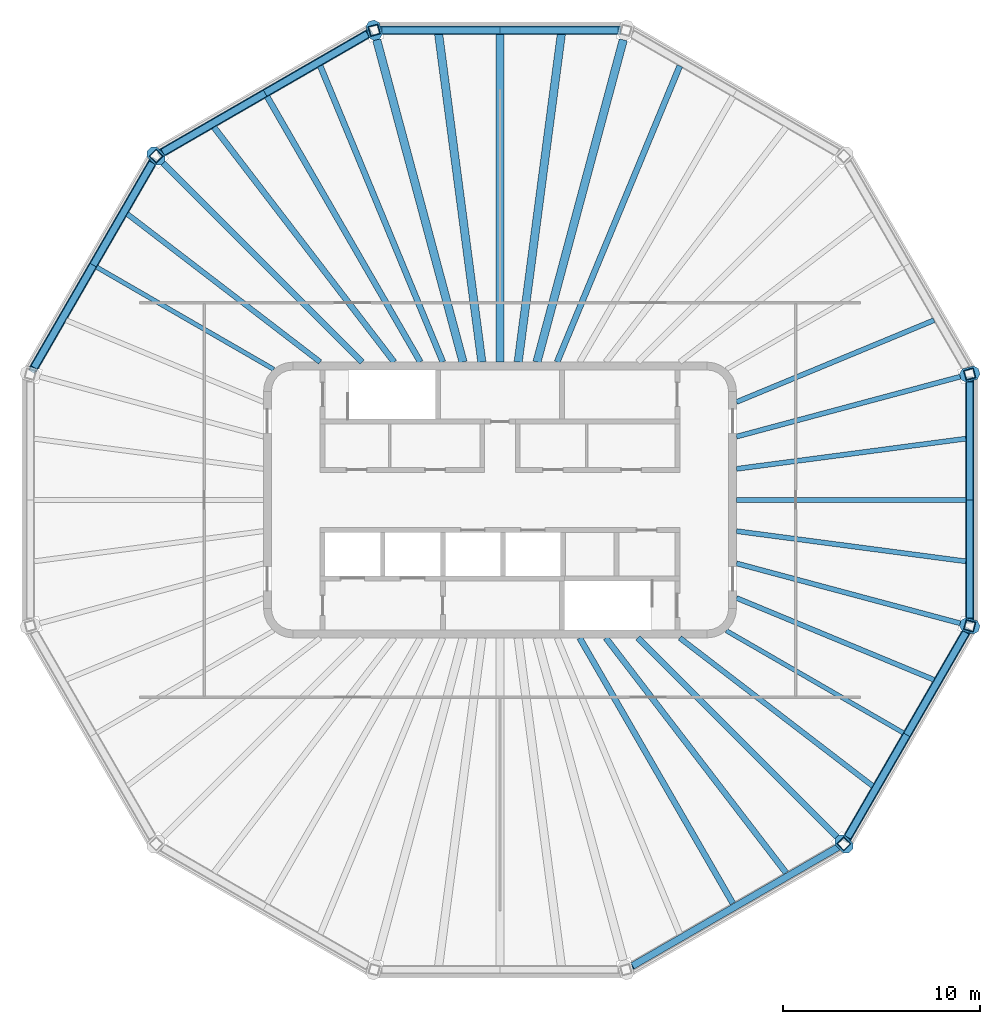
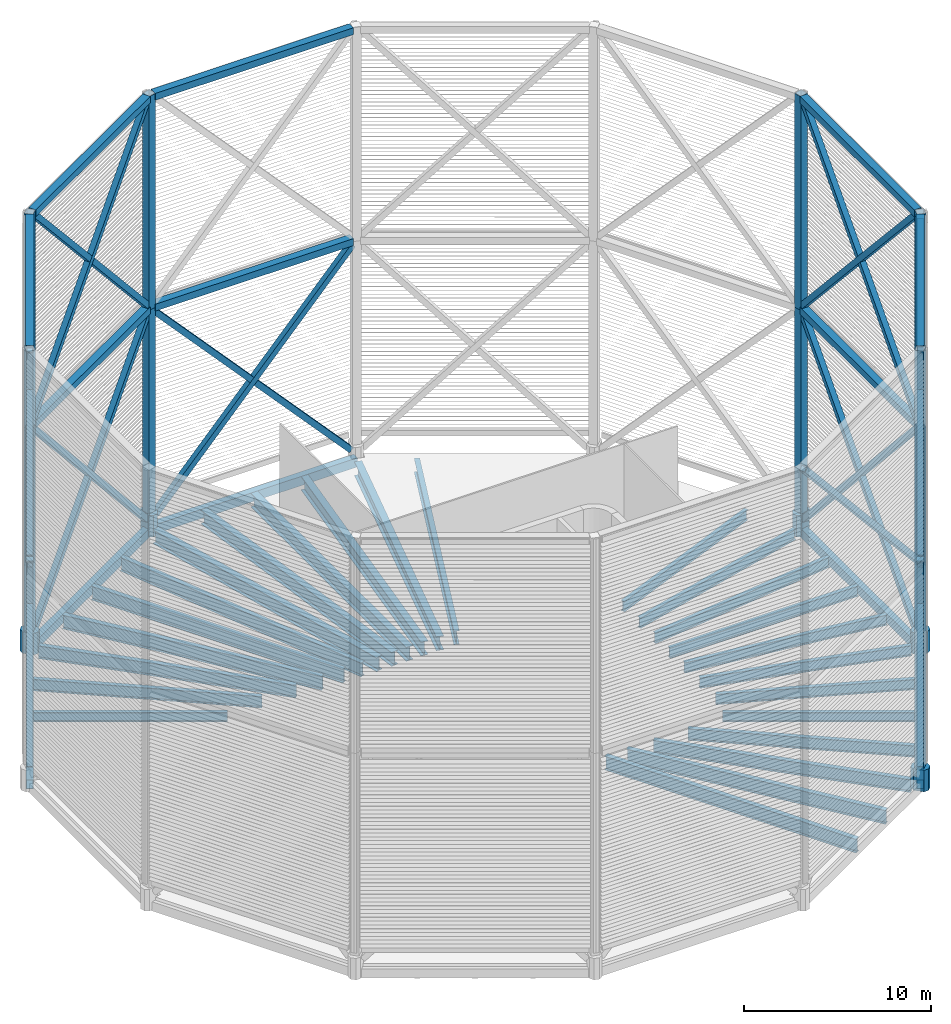
# One storey, part 2 of 18: 44 members, 29 beams.
"""IFC4 building model written with IfcOpenShell, lengths in metres."""

from ifc_helpers import new_model, si_unit, direction, frame, origin, origin_2d, place, context, subcontext, project, spatial, polyline, hollow_rectangle, i_section, outline, extrude, material, material_profile, profile_set, type_object, element, save


model = new_model("IFC4")

# Units and contexts
model_context = context("Model", 3, precision=1e-05, world=origin(), true_north=direction((0.0, 1.0)))
body_context = subcontext(model_context, "Body", "Model", "MODEL_VIEW")
ifc_project = project(units=[si_unit("LENGTHUNIT", "METRE"), si_unit("AREAUNIT", "SQUARE_METRE"), si_unit("VOLUMEUNIT", "CUBIC_METRE"), si_unit("PLANEANGLEUNIT", "RADIAN"), si_unit("MASSUNIT", "GRAM", prefix="KILO")], contexts=[model_context])

# Site, building, storey
site_placement = place(None, origin())
site = spatial("IfcSite", under=ifc_project, at=site_placement, CompositionType="ELEMENT")
building_placement = place(site_placement, origin())
building = spatial("IfcBuilding", under=site, at=building_placement, Name="Sahrelin Media Tower", CompositionType="ELEMENT")
storey_placement = place(building_placement, frame((0.0, 0.0, 335.800048828125)))
storey = spatial("IfcBuildingStorey", under=building, at=storey_placement, Name="Crown", CompositionType="ELEMENT", Elevation=335.800048828125)

# Members
ifc_material_1 = material(Name="Steel S460", Category="steel")
ifc_material_profile_1 = material_profile(ifc_material_1, hollow_rectangle(XDim=0.35009765625, YDim=0.35009765625, WallThickness=0.02001953125, at=origin_2d()), Name="Crown frame brace CF3")
ifc_profile_set_1 = profile_set([ifc_material_profile_1], Name="Steel S460")
member_type_1 = type_object("IfcMemberType", Name="Crown frame brace CF3", PredefinedType="BRACE", material=ifc_profile_set_1)
for number, where, z_axis, x_axis, name in (
    (1, (6.02294921875, 23.830078125, 0.397216796875), (-0.673921530076, 0.0, 0.738802931302), (0.0, -1.0, 0.0), "Crown frame brace CX-02A1"),
    (2, (-6.02294921875, 23.830078125, 0.397216796875), (0.673921530076, 0.0, 0.738802931302), (0.0, 1.0, 0.0), "Crown frame brace CX-02A2"),
    (3, (-6.69921875, 23.64892578125, 0.397216796875), (-0.583625234035, -0.336963130529, 0.738808117756), (0.500007728563, -0.866020941651, 0.0), "Crown frame brace CX-03A1"),
    (4, (-17.131103515625, 17.626220703125, 0.397216796875), (0.583636826792, 0.336948462478, 0.738805649712), (-0.499983955788, 0.866034666717, 0.0), "Crown frame brace CX-03A2"),
):
    element("IfcMember", number, at=place(storey_placement, frame(where, z_axis=z_axis, x_axis=x_axis)), inside=storey, type_object=member_type_1, Name=name, PredefinedType="BRACE", context=body_context, shape_type="SweptSolid", body=[
        extrude(hollow_rectangle(XDim=0.35009765625, YDim=0.35009765625, WallThickness=0.02001953125, at=origin_2d()), origin(), (0.0, 0.0, 1.0), 18.02783203125),
    ])
for number, where, z_axis, x_axis, name in (
    (5, (-6.609375, 23.70068359375, 14.28369140625), (-0.583631390469, -0.336960383592, 0.738804507261), (0.500000715809, -0.866024990512, 0.0), "Crown frame brace CX-03B1"),
    (6, (-17.220703125, 17.57421875, 14.28369140625), (0.583631390469, 0.336960383592, 0.738804507261), (-0.500000715809, 0.866024990512, 0.0), "Crown frame brace CX-03B2"),
):
    element("IfcMember", number, at=place(storey_placement, frame(where, z_axis=z_axis, x_axis=x_axis)), inside=storey, type_object=member_type_1, Name=name, PredefinedType="BRACE", context=body_context, shape_type="SweptSolid", body=[
        extrude(hollow_rectangle(XDim=0.35009765625, YDim=0.35009765625, WallThickness=0.02001953125, at=origin_2d()), origin(), (0.0, 0.0, 1.0), 18.181640625),
    ])
for number, where, z_axis, x_axis, name in (
    (7, (-17.626220703125, 17.131103515625, 0.397216796875), (-0.336948462478, -0.583636826792, 0.738805649712), (0.866034666717, -0.499983955788, 0.0), "Crown frame brace CX-04A1"),
    (8, (-23.64892578125, 6.69921875, 0.397216796875), (0.336963130529, 0.583625234035, 0.738808117756), (-0.866020941651, 0.500007728563, 0.0), "Crown frame brace CX-04A2"),
):
    element("IfcMember", number, at=place(storey_placement, frame(where, z_axis=z_axis, x_axis=x_axis)), inside=storey, type_object=member_type_1, Name=name, PredefinedType="BRACE", context=body_context, shape_type="SweptSolid", body=[
        extrude(hollow_rectangle(XDim=0.35009765625, YDim=0.35009765625, WallThickness=0.02001953125, at=origin_2d()), origin(), (0.0, 0.0, 1.0), 18.02783203125),
    ])
for number, where, z_axis, x_axis, name in (
    (9, (-17.57421875, 17.220703125, 14.28369140625), (-0.336960383592, -0.583631390469, 0.738804507261), (0.866024990512, -0.500000715809, 0.0), "Crown frame brace CX-04B1"),
    (10, (-23.70068359375, 6.609375, 14.28369140625), (0.336960383592, 0.583631390469, 0.738804507261), (-0.866024990512, 0.500000715809, 0.0), "Crown frame brace CX-04B2"),
    (11, (17.220703125, -17.57421875, 14.28369140625), (-0.583631390469, -0.336960383592, 0.738804507261), (0.500000715809, -0.866024990512, 0.0), "Crown frame brace CX-09B2"),
):
    element("IfcMember", number, at=place(storey_placement, frame(where, z_axis=z_axis, x_axis=x_axis)), inside=storey, type_object=member_type_1, Name=name, PredefinedType="BRACE", context=body_context, shape_type="SweptSolid", body=[
        extrude(hollow_rectangle(XDim=0.35009765625, YDim=0.35009765625, WallThickness=0.02001953125, at=origin_2d()), origin(), (0.0, 0.0, 1.0), 18.181640625),
    ])
for number, where, z_axis, x_axis, name in (
    (12, (17.626220703125, -17.131103515625, 0.397216796875), (0.336948462478, 0.583636826792, 0.738805649712), (-0.866034666717, 0.499983955788, 0.0), "Crown frame brace CX-10A1"),
    (13, (23.64892578125, -6.69921875, 0.397216796875), (-0.336963130529, -0.583625234035, 0.738808117756), (0.866020941651, -0.500007728563, 0.0), "Crown frame brace CX-10A2"),
):
    element("IfcMember", number, at=place(storey_placement, frame(where, z_axis=z_axis, x_axis=x_axis)), inside=storey, type_object=member_type_1, Name=name, PredefinedType="BRACE", context=body_context, shape_type="SweptSolid", body=[
        extrude(hollow_rectangle(XDim=0.35009765625, YDim=0.35009765625, WallThickness=0.02001953125, at=origin_2d()), origin(), (0.0, 0.0, 1.0), 18.02783203125),
    ])
for number, where, z_axis, x_axis, name in (
    (14, (17.57421875, -17.220703125, 14.28369140625), (0.336960383592, 0.583631390469, 0.738804507261), (-0.866024990512, 0.500000715809, 0.0), "Crown frame brace CX-10B1"),
    (15, (23.70068359375, -6.609375, 14.28369140625), (-0.336960383592, -0.583631390469, 0.738804507261), (0.866024990512, -0.500000715809, 0.0), "Crown frame brace CX-10B2"),
):
    element("IfcMember", number, at=place(storey_placement, frame(where, z_axis=z_axis, x_axis=x_axis)), inside=storey, type_object=member_type_1, Name=name, PredefinedType="BRACE", context=body_context, shape_type="SweptSolid", body=[
        extrude(hollow_rectangle(XDim=0.35009765625, YDim=0.35009765625, WallThickness=0.02001953125, at=origin_2d()), origin(), (0.0, 0.0, 1.0), 18.181640625),
    ])
for number, where, z_axis, x_axis, name in (
    (16, (23.830078125, -6.02294921875, 0.397216796875), (0.0, 0.673921530076, 0.738802931302), (-1.0, 0.0, 0.0), "Crown frame brace CX-11A1"),
    (17, (23.830078125, 6.02294921875, 0.397216796875), (0.0, -0.673921530076, 0.738802931302), (1.0, 0.0, 0.0), "Crown frame brace CX-11A2"),
):
    element("IfcMember", number, at=place(storey_placement, frame(where, z_axis=z_axis, x_axis=x_axis)), inside=storey, type_object=member_type_1, Name=name, PredefinedType="BRACE", context=body_context, shape_type="SweptSolid", body=[
        extrude(hollow_rectangle(XDim=0.35009765625, YDim=0.35009765625, WallThickness=0.02001953125, at=origin_2d()), origin(), (0.0, 0.0, 1.0), 18.02783203125),
    ])
for number, where, z_axis, x_axis, name in (
    (18, (23.830078125, -6.12646484375, 14.28369140625), (0.0, 0.673920329004, 0.738804026895), (-1.0, 0.0, 0.0), "Crown frame brace CX-11B1"),
    (19, (23.830078125, 6.12646484375, 14.28369140625), (0.0, -0.673920329004, 0.738804026895), (1.0, 0.0, 0.0), "Crown frame brace CX-11B2"),
):
    element("IfcMember", number, at=place(storey_placement, frame(where, z_axis=z_axis, x_axis=x_axis)), inside=storey, type_object=member_type_1, Name=name, PredefinedType="BRACE", context=body_context, shape_type="SweptSolid", body=[
        extrude(hollow_rectangle(XDim=0.35009765625, YDim=0.35009765625, WallThickness=0.02001953125, at=origin_2d()), origin(), (0.0, 0.0, 1.0), 18.181640625),
    ])
ifc_material_profile_2 = material_profile(ifc_material_1, hollow_rectangle(XDim=0.5, YDim=0.5, WallThickness=0.030029296875, at=origin_2d()), Name="Crown frame post CF1")
ifc_profile_set_2 = profile_set([ifc_material_profile_2], Name="Steel S460")
member_type_2 = type_object("IfcMemberType", Name="Crown frame post CF1", PredefinedType="POST", material=ifc_profile_set_2)
member_1_placement = place(storey_placement, frame((23.830078125, 6.38525390625, 0.699951171875), z_axis=(0.0, 0.0, 1.0), x_axis=(0.965925826289, 0.258819045103, 0.0)))
element("IfcMember", 20, at=member_1_placement, inside=storey, type_object=member_type_2, Name="Crown frame post CP-00-1", PredefinedType="POST", context=body_context, shape_type="SweptSolid", body=[
    extrude(hollow_rectangle(XDim=0.5, YDim=0.5, WallThickness=0.030029296875, at=origin_2d()), origin(), (0.0, 0.0, 1.0), 13.300048828125),
])
member_2_placement = place(storey_placement, frame((23.830078125, 6.38525390625, 14.0), z_axis=(0.0, 0.0, 1.0), x_axis=(0.965925826289, 0.258819045103, 0.0)))
element("IfcMember", 21, at=member_2_placement, inside=storey, type_object=member_type_2, Name="Crown frame post CP-00-2", PredefinedType="POST", context=body_context, shape_type="SweptSolid", body=[
    extrude(hollow_rectangle(XDim=0.5, YDim=0.5, WallThickness=0.030029296875, at=origin_2d()), origin(), (0.0, 0.0, 1.0), 13.969970703125),
])
member_3_placement = place(storey_placement, frame((-6.38525390625, 23.830078125, 0.699951171875), z_axis=(0.0, 0.0, 1.0), x_axis=(-0.258819045103, 0.965925826289, 0.0)))
element("IfcMember", 22, at=member_3_placement, inside=storey, type_object=member_type_2, Name="Crown frame post CP-03-1", PredefinedType="POST", context=body_context, shape_type="SweptSolid", body=[
    extrude(hollow_rectangle(XDim=0.5, YDim=0.5, WallThickness=0.030029296875, at=origin_2d()), origin(), (0.0, 0.0, 1.0), 13.300048828125),
])
member_4_placement = place(storey_placement, frame((-6.38525390625, 23.830078125, 14.0), z_axis=(0.0, 0.0, 1.0), x_axis=(-0.258819045103, 0.965925826289, 0.0)))
element("IfcMember", 23, at=member_4_placement, inside=storey, type_object=member_type_2, Name="Crown frame post CP-03-2", PredefinedType="POST", context=body_context, shape_type="SweptSolid", body=[
    extrude(hollow_rectangle(XDim=0.5, YDim=0.5, WallThickness=0.030029296875, at=origin_2d()), origin(), (0.0, 0.0, 1.0), 13.969970703125),
])
member_5_placement = place(storey_placement, frame((-17.44482421875, 17.44482421875, 0.699951171875), z_axis=(0.0, 0.0, 1.0), x_axis=(-0.707106781187, 0.707106781187, 0.0)))
element("IfcMember", 24, at=member_5_placement, inside=storey, type_object=member_type_2, Name="Crown frame post CP-04-1", PredefinedType="POST", context=body_context, shape_type="SweptSolid", body=[
    extrude(hollow_rectangle(XDim=0.5, YDim=0.5, WallThickness=0.030029296875, at=origin_2d()), origin(), (0.0, 0.0, 1.0), 13.300048828125),
])
member_6_placement = place(storey_placement, frame((-17.44482421875, 17.44482421875, 14.0), z_axis=(0.0, 0.0, 1.0), x_axis=(-0.707106781187, 0.707106781187, 0.0)))
element("IfcMember", 25, at=member_6_placement, inside=storey, type_object=member_type_2, Name="Crown frame post CP-04-2", PredefinedType="POST", context=body_context, shape_type="SweptSolid", body=[
    extrude(hollow_rectangle(XDim=0.5, YDim=0.5, WallThickness=0.030029296875, at=origin_2d()), origin(), (0.0, 0.0, 1.0), 13.969970703125),
])
member_7_placement = place(storey_placement, frame((17.44482421875, -17.44482421875, 0.699951171875), z_axis=(0.0, 0.0, 1.0), x_axis=(0.707106781187, -0.707106781187, 0.0)))
element("IfcMember", 26, at=member_7_placement, inside=storey, type_object=member_type_2, Name="Crown frame post CP-10-1", PredefinedType="POST", context=body_context, shape_type="SweptSolid", body=[
    extrude(hollow_rectangle(XDim=0.5, YDim=0.5, WallThickness=0.030029296875, at=origin_2d()), origin(), (0.0, 0.0, 1.0), 13.300048828125),
])
member_8_placement = place(storey_placement, frame((17.44482421875, -17.44482421875, 14.0), z_axis=(0.0, 0.0, 1.0), x_axis=(0.707106781187, -0.707106781187, 0.0)))
element("IfcMember", 27, at=member_8_placement, inside=storey, type_object=member_type_2, Name="Crown frame post CP-10-2", PredefinedType="POST", context=body_context, shape_type="SweptSolid", body=[
    extrude(hollow_rectangle(XDim=0.5, YDim=0.5, WallThickness=0.030029296875, at=origin_2d()), origin(), (0.0, 0.0, 1.0), 13.969970703125),
])
member_9_placement = place(storey_placement, frame((23.830078125, -6.38525390625, 0.699951171875), z_axis=(0.0, 0.0, 1.0), x_axis=(0.965925826289, -0.258819045103, 0.0)))
element("IfcMember", 28, at=member_9_placement, inside=storey, type_object=member_type_2, Name="Crown frame post CP-11-1", PredefinedType="POST", context=body_context, shape_type="SweptSolid", body=[
    extrude(hollow_rectangle(XDim=0.5, YDim=0.5, WallThickness=0.030029296875, at=origin_2d()), origin(), (0.0, 0.0, 1.0), 13.300048828125),
])
member_10_placement = place(storey_placement, frame((23.830078125, -6.38525390625, 14.0), z_axis=(0.0, 0.0, 1.0), x_axis=(0.965925826289, -0.258819045103, 0.0)))
element("IfcMember", 29, at=member_10_placement, inside=storey, type_object=member_type_2, Name="Crown frame post CP-11-2", PredefinedType="POST", context=body_context, shape_type="SweptSolid", body=[
    extrude(hollow_rectangle(XDim=0.5, YDim=0.5, WallThickness=0.030029296875, at=origin_2d()), origin(), (0.0, 0.0, 1.0), 13.969970703125),
])
ifc_material_profile_3 = material_profile(ifc_material_1, hollow_rectangle(XDim=0.449951171875, YDim=0.449951171875, WallThickness=0.02490234375, at=origin_2d()), Name="Crown frame ring beam CF2")
ifc_profile_set_3 = profile_set([ifc_material_profile_3], Name="Steel S460")
member_type_3 = type_object("IfcMemberType", Name="Crown frame ring beam CF2", PredefinedType="MEMBER", material=ifc_profile_set_3)
for number, where, z_axis, x_axis, name in (
    (30, (6.12646484375, 23.830078125, 14.0), (-1.0, 0.0, 0.0), (0.0, -1.0, 0.0), "Crown frame mid ring beam CR-MID-02"),
    (31, (-6.609375, 23.70068359375, 14.0), (-0.866024990512, -0.500000715809, 0.0), (0.500000715809, -0.866024990512, 0.0), "Crown frame mid ring beam CR-MID-03"),
    (32, (-17.57421875, 17.220703125, 14.0), (-0.500000715809, -0.866024990512, 0.0), (0.866024990512, -0.500000715809, 0.0), "Crown frame mid ring beam CR-MID-04"),
    (33, (17.57421875, -17.220703125, 14.0), (0.500000715809, 0.866024990512, 0.0), (-0.866024990512, 0.500000715809, 0.0), "Crown frame mid ring beam CR-MID-10"),
    (34, (23.830078125, -6.12646484375, 14.0), (0.0, 1.0, 0.0), (-1.0, 0.0, 0.0), "Crown frame mid ring beam CR-MID-11"),
    (35, (6.12646484375, 23.830078125, 27.77490234375), (-1.0, 0.0, 0.0), (0.0, -1.0, 0.0), "Crown frame cap ring beam CR-CAP-02"),
    (36, (-6.609375, 23.70068359375, 27.77490234375), (-0.866024990512, -0.500000715809, 0.0), (0.500000715809, -0.866024990512, 0.0), "Crown frame cap ring beam CR-CAP-03"),
    (37, (-17.57421875, 17.220703125, 27.77490234375), (-0.500000715809, -0.866024990512, 0.0), (0.866024990512, -0.500000715809, 0.0), "Crown frame cap ring beam CR-CAP-04"),
    (38, (17.57421875, -17.220703125, 27.77490234375), (0.500000715809, 0.866024990512, 0.0), (-0.866024990512, 0.500000715809, 0.0), "Crown frame cap ring beam CR-CAP-10"),
    (39, (23.830078125, -6.12646484375, 27.77490234375), (0.0, 1.0, 0.0), (-1.0, 0.0, 0.0), "Crown frame cap ring beam CR-CAP-11"),
):
    element("IfcMember", number, at=place(storey_placement, frame(where, z_axis=z_axis, x_axis=x_axis)), inside=storey, type_object=member_type_3, Name=name, PredefinedType="MEMBER", context=body_context, shape_type="SweptSolid", body=[
        extrude(hollow_rectangle(XDim=0.449951171875, YDim=0.449951171875, WallThickness=0.02490234375, at=origin_2d()), origin(), (0.0, 0.0, 1.0), 12.2529296875),
    ])
ifc_material_profile_4 = material_profile(ifc_material_1, outline(polyline([(0.300048828125, -0.35009765625), (0.5, -0.14990234375), (0.5, 0.14990234375), (0.300048828125, 0.35009765625), (-0.300048828125, 0.35009765625), (-0.5, 0.14990234375), (-0.5, -0.14990234375), (-0.300048828125, -0.35009765625), (0.300048828125, -0.35009765625)])), Name="Diagrid node block 1000")
ifc_profile_set_4 = profile_set([ifc_material_profile_4], Name="Steel S460")
member_type_4 = type_object("IfcMemberType", Name="Diagrid node block 1000", PredefinedType="USERDEFINED", material=ifc_profile_set_4)
for number, where, z_axis, x_axis, name in (
    (40, (23.830078125, 6.38525390625, -0.699951171875), (0.0, 0.0, 1.0), (0.965925826289, 0.258819045103, 0.0), "Diagrid node N17-00"),
    (41, (-6.38525390625, 23.830078125, -0.699951171875), (0.0, 0.0, 1.0), (-0.258819045103, 0.965925826289, 0.0), "Diagrid node N17-03"),
    (42, (-17.44482421875, 17.44482421875, -0.699951171875), (0.0, 0.0, 1.0), (-0.707106781187, 0.707106781187, 0.0), "Diagrid node N17-04"),
    (43, (17.44482421875, -17.44482421875, -0.699951171875), (0.0, 0.0, 1.0), (0.707106781187, -0.707106781187, 0.0), "Diagrid node N17-10"),
    (44, (23.830078125, -6.38525390625, -0.699951171875), (0.0, 0.0, 1.0), (0.965925826289, -0.258819045103, 0.0), "Diagrid node N17-11"),
):
    element("IfcMember", number, at=place(storey_placement, frame(where, z_axis=z_axis, x_axis=x_axis)), inside=storey, type_object=member_type_4, Name=name, ObjectType="NODE", PredefinedType="USERDEFINED", context=body_context, shape_type="SweptSolid", body=[
        extrude(outline(polyline([(0.300048828125, -0.35009765625), (0.5, -0.14990234375), (0.5, 0.14990234375), (0.300048828125, 0.35009765625), (-0.300048828125, 0.35009765625), (-0.5, 0.14990234375), (-0.5, -0.14990234375), (-0.300048828125, -0.35009765625), (0.300048828125, -0.35009765625)])), origin(), (0.0, 0.0, 1.0), 1.39990234375),
    ])

# Beams
ifc_material_profile_5 = material_profile(ifc_material_1, hollow_rectangle(XDim=0.39990234375, YDim=0.60009765625, WallThickness=0.030029296875, at=origin_2d()), Name="Diagrid ring beam RB1")
ifc_profile_set_5 = profile_set([ifc_material_profile_5], Name="Steel S460")
beam_type_1 = type_object("IfcBeamType", Name="Diagrid ring beam RB1", PredefinedType="BEAM", material=ifc_profile_set_5)
for number, where, z_axis, x_axis, name in (
    (45, (6.38525390625, 23.830078125, -0.5), (-1.0, 0.0, 0.0), (0.0, -1.0, 0.0), "Diagrid ring beam RB17-02"),
    (46, (-6.38525390625, 23.830078125, -0.5), (-0.866025132214, -0.500000470374, 0.0), (0.500000470374, -0.866025132214, 0.0), "Diagrid ring beam RB17-03"),
    (47, (-17.44482421875, 17.44482421875, -0.5), (-0.500000470374, -0.866025132214, 0.0), (0.866025132214, -0.500000470374, 0.0), "Diagrid ring beam RB17-04"),
    (48, (17.44482421875, -17.44482421875, -0.5), (0.500000470374, 0.866025132214, 0.0), (-0.866025132214, 0.500000470374, 0.0), "Diagrid ring beam RB17-10"),
    (49, (23.830078125, -6.38525390625, -0.5), (0.0, 1.0, 0.0), (-1.0, 0.0, 0.0), "Diagrid ring beam RB17-11"),
):
    element("IfcBeam", number, at=place(storey_placement, frame(where, z_axis=z_axis, x_axis=x_axis)), inside=storey, type_object=beam_type_1, Name=name, PredefinedType="BEAM", context=body_context, shape_type="SweptSolid", body=[
        extrude(hollow_rectangle(XDim=0.39990234375, YDim=0.60009765625, WallThickness=0.030029296875, at=origin_2d()), origin(), (0.0, 0.0, 1.0), 12.7705078125),
    ])
ifc_material_2 = material(Name="Steel S355", Category="steel")
ifc_material_profile_6 = material_profile(ifc_material_2, i_section(OverallWidth=0.291748046875, OverallDepth=0.8349609375, WebThickness=0.013916015625, FlangeThickness=0.018798828125, FilletRadius=0.017822265625, at=origin_2d()), Name="UB 838x292x176")
ifc_profile_set_6 = profile_set([ifc_material_profile_6], Name="Steel S355")
beam_type_2 = type_object("IfcBeamType", Name="Radial primary beam PB10", PredefinedType="BEAM", material=ifc_profile_set_6)
for number, where, z_axis, x_axis, name in (
    (50, (-7.0, 7.0, -0.617431640625), (-0.707106781187, 0.707106781187, 0.0), (-0.707106781187, -0.707106781187, 0.0), "Radial beam Crown-10"),
    (51, (7.0, -7.0, -0.617431640625), (0.707106781187, -0.707106781187, 0.0), (0.707106781187, 0.707106781187, 0.0), "Radial beam Crown-22"),
):
    element("IfcBeam", number, at=place(storey_placement, frame(where, z_axis=z_axis, x_axis=x_axis)), inside=storey, type_object=beam_type_2, Name=name, PredefinedType="BEAM", context=body_context, shape_type="SweptSolid", body=[
        extrude(i_section(OverallWidth=0.291748046875, OverallDepth=0.8349609375, WebThickness=0.013916015625, FlangeThickness=0.018798828125, FilletRadius=0.017822265625, at=origin_2d()), origin(), (0.0, 0.0, 1.0), 14.271240234375),
    ])
ifc_material_profile_7 = material_profile(ifc_material_2, i_section(OverallWidth=0.30322265625, OverallDepth=0.903076171875, WebThickness=0.01513671875, FlangeThickness=0.020263671875, FilletRadius=0.01904296875, at=origin_2d()), Name="UB 914x305x201")
ifc_profile_set_7 = profile_set([ifc_material_profile_7], Name="Steel S355")
beam_type_3 = type_object("IfcBeamType", Name="Radial primary beam PB11", PredefinedType="BEAM", material=ifc_profile_set_7)
for number, where, z_axis, x_axis, name in (
    (52, (-4.04150390625, 7.0, -0.651611328125), (-0.500001562308, 0.866024501784, 0.0), (-0.866024501784, -0.500001562308, 0.0), "Radial beam Crown-09"),
    (53, (4.04150390625, -7.0, -0.651611328125), (0.500001562308, -0.866024501784, 0.0), (0.866024501784, 0.500001562308, 0.0), "Radial beam Crown-21"),
):
    element("IfcBeam", number, at=place(storey_placement, frame(where, z_axis=z_axis, x_axis=x_axis)), inside=storey, type_object=beam_type_3, Name=name, PredefinedType="BEAM", context=body_context, shape_type="SweptSolid", body=[
        extrude(i_section(OverallWidth=0.30322265625, OverallDepth=0.903076171875, WebThickness=0.01513671875, FlangeThickness=0.020263671875, FilletRadius=0.01904296875, at=origin_2d()), origin(), (0.0, 0.0, 1.0), 15.54736328125),
    ])
ifc_material_profile_8 = material_profile(ifc_material_2, i_section(OverallWidth=0.41845703125, OverallDepth=0.911865234375, WebThickness=0.019287109375, FlangeThickness=0.031982421875, FilletRadius=0.024169921875, at=origin_2d()), Name="UB 914x419x343")
ifc_profile_set_8 = profile_set([ifc_material_profile_8], Name="Steel S355")
beam_type_4 = type_object("IfcBeamType", Name="Radial primary beam PB12", PredefinedType="BEAM", material=ifc_profile_set_8)
beam_1_placement = place(storey_placement, frame((1.87548828125, 7.0, -0.656005859375), z_axis=(0.258827901059, 0.965923453299, 0.0), x_axis=(-0.965923453299, 0.258827901059, 0.0)))
element("IfcBeam", 54, at=beam_1_placement, inside=storey, type_object=beam_type_4, Name="Radial beam Crown-06", PredefinedType="BEAM", context=body_context, shape_type="SweptSolid", body=[
    extrude(i_section(OverallWidth=0.41845703125, OverallDepth=0.911865234375, WebThickness=0.019287109375, FlangeThickness=0.031982421875, FilletRadius=0.024169921875, at=origin_2d()), origin(), (0.0, 0.0, 1.0), 16.923828125),
])
beam_2_placement = place(storey_placement, frame((0.0, 7.0, -0.656005859375), z_axis=(0.0, 1.0, 0.0), x_axis=(-1.0, 0.0, 0.0)))
element("IfcBeam", 55, at=beam_2_placement, inside=storey, type_object=beam_type_4, Name="Radial beam Crown-07", PredefinedType="BEAM", context=body_context, shape_type="SweptSolid", body=[
    extrude(i_section(OverallWidth=0.41845703125, OverallDepth=0.911865234375, WebThickness=0.019287109375, FlangeThickness=0.031982421875, FilletRadius=0.024169921875, at=origin_2d()), origin(), (0.0, 0.0, 1.0), 16.630126953125),
])
beam_3_placement = place(storey_placement, frame((-1.87548828125, 7.0, -0.656005859375), z_axis=(-0.258827901059, 0.965923453299, 0.0), x_axis=(-0.965923453299, -0.258827901059, 0.0)))
element("IfcBeam", 56, at=beam_3_placement, inside=storey, type_object=beam_type_4, Name="Radial beam Crown-08", PredefinedType="BEAM", context=body_context, shape_type="SweptSolid", body=[
    extrude(i_section(OverallWidth=0.41845703125, OverallDepth=0.911865234375, WebThickness=0.019287109375, FlangeThickness=0.031982421875, FilletRadius=0.024169921875, at=origin_2d()), origin(), (0.0, 0.0, 1.0), 16.923828125),
])
ifc_material_profile_9 = material_profile(ifc_material_2, i_section(OverallWidth=0.2275390625, OverallDepth=0.6025390625, WebThickness=0.010498046875, FlangeThickness=0.014892578125, FilletRadius=0.0126953125, at=origin_2d()), Name="UB 610x229x101")
ifc_profile_set_9 = profile_set([ifc_material_profile_9], Name="Steel S355")
beam_type_5 = type_object("IfcBeamType", Name="Radial primary beam PB7", PredefinedType="BEAM", material=ifc_profile_set_9)
for number, where, z_axis, x_axis, name in (
    (57, (-11.47607421875, 6.625732421875, -0.50146484375), (-0.866022628259, 0.50000480732, 0.0), (-0.50000480732, -0.866022628259, 0.0), "Radial beam Crown-11"),
    (58, (11.47607421875, -6.625732421875, -0.50146484375), (0.866022628259, -0.50000480732, 0.0), (0.50000480732, 0.866022628259, 0.0), "Radial beam Crown-23"),
):
    element("IfcBeam", number, at=place(storey_placement, frame(where, z_axis=z_axis, x_axis=x_axis)), inside=storey, type_object=beam_type_5, Name=name, PredefinedType="BEAM", context=body_context, shape_type="SweptSolid", body=[
        extrude(i_section(OverallWidth=0.2275390625, OverallDepth=0.6025390625, WebThickness=0.010498046875, FlangeThickness=0.014892578125, FilletRadius=0.0126953125, at=origin_2d()), origin(), (0.0, 0.0, 1.0), 10.37890625),
    ])
ifc_material_profile_10 = material_profile(ifc_material_2, i_section(OverallWidth=0.2529296875, OverallDepth=0.677978515625, WebThickness=0.01171875, FlangeThickness=0.01611328125, FilletRadius=0.01513671875, at=origin_2d()), Name="UB 686x254x125")
ifc_profile_set_10 = profile_set([ifc_material_profile_10], Name="Steel S355")
beam_type_6 = type_object("IfcBeamType", Name="Radial primary beam PB8", PredefinedType="BEAM", material=ifc_profile_set_10)
beam_4_placement = place(storey_placement, frame((12.0, 0.0, -0.5390625), z_axis=(1.0, 0.0, 0.0), x_axis=(0.0, 1.0, 0.0)))
element("IfcBeam", 59, at=beam_4_placement, inside=storey, type_object=beam_type_6, Name="Radial beam Crown-01", PredefinedType="BEAM", context=body_context, shape_type="SweptSolid", body=[
    extrude(i_section(OverallWidth=0.2529296875, OverallDepth=0.677978515625, WebThickness=0.01171875, FlangeThickness=0.01611328125, FilletRadius=0.01513671875, at=origin_2d()), origin(), (0.0, 0.0, 1.0), 11.630126953125),
])
for number, where, z_axis, x_axis, name in (
    (60, (12.0, 3.21533203125, -0.5390625), (0.965924488751, 0.258824036811, 0.0), (-0.258824036811, 0.965924488751, 0.0), "Radial beam Crown-02"),
    (61, (12.0, -3.21533203125, -0.5390625), (0.965924488751, -0.258824036811, 0.0), (0.258824036811, 0.965924488751, 0.0), "Radial beam Crown-24"),
):
    element("IfcBeam", number, at=place(storey_placement, frame(where, z_axis=z_axis, x_axis=x_axis)), inside=storey, type_object=beam_type_6, Name=name, PredefinedType="BEAM", context=body_context, shape_type="SweptSolid", body=[
        extrude(i_section(OverallWidth=0.2529296875, OverallDepth=0.677978515625, WebThickness=0.01171875, FlangeThickness=0.01611328125, FilletRadius=0.01513671875, at=origin_2d()), origin(), (0.0, 0.0, 1.0), 11.74755859375),
    ])
ifc_material_profile_11 = material_profile(ifc_material_2, i_section(OverallWidth=0.30322265625, OverallDepth=0.903076171875, WebThickness=0.01513671875, FlangeThickness=0.020263671875, FilletRadius=0.01904296875, at=origin_2d()), Name="UB 914x305x201")
ifc_profile_set_11 = profile_set([ifc_material_profile_11], Name="Steel S355")
beam_type_7 = type_object("IfcBeamType", Name="Radial secondary beam SB11", PredefinedType="BEAM", material=ifc_profile_set_11)
for number, where, z_axis, x_axis, name in (
    (62, (2.8994140625, 7.0, -0.651611328125), (0.382685578482, 0.923878643558, 0.0), (-0.923878643558, 0.382685578482, 0.0), "Secondary beam Crown-05"),
    (63, (-2.8994140625, 7.0, -0.651611328125), (-0.382685578482, 0.923878643558, 0.0), (-0.923878643558, -0.382685578482, 0.0), "Secondary beam Crown-08"),
):
    element("IfcBeam", number, at=place(storey_placement, frame(where, z_axis=z_axis, x_axis=x_axis)), inside=storey, type_object=beam_type_7, Name=name, PredefinedType="BEAM", context=body_context, shape_type="SweptSolid", body=[
        extrude(i_section(OverallWidth=0.30322265625, OverallDepth=0.903076171875, WebThickness=0.01513671875, FlangeThickness=0.020263671875, FilletRadius=0.01904296875, at=origin_2d()), origin(), (0.0, 0.0, 1.0), 16.25732421875),
    ])
for number, where, z_axis, x_axis, name in (
    (64, (-5.371337890625, 7.0, -0.651611328125), (-0.608756892546, 0.793356821221, 0.0), (-0.793356821221, -0.608756892546, 0.0), "Secondary beam Crown-09"),
    (65, (5.371337890625, -7.0, -0.651611328125), (0.608756892546, -0.793356821221, 0.0), (0.793356821221, 0.608756892546, 0.0), "Secondary beam Crown-21"),
):
    element("IfcBeam", number, at=place(storey_placement, frame(where, z_axis=z_axis, x_axis=x_axis)), inside=storey, type_object=beam_type_7, Name=name, PredefinedType="BEAM", context=body_context, shape_type="SweptSolid", body=[
        extrude(i_section(OverallWidth=0.30322265625, OverallDepth=0.903076171875, WebThickness=0.01513671875, FlangeThickness=0.020263671875, FilletRadius=0.01904296875, at=origin_2d()), origin(), (0.0, 0.0, 1.0), 15.0107421875),
    ])
ifc_material_profile_12 = material_profile(ifc_material_2, i_section(OverallWidth=0.41845703125, OverallDepth=0.911865234375, WebThickness=0.019287109375, FlangeThickness=0.031982421875, FilletRadius=0.024169921875, at=origin_2d()), Name="UB 914x419x343")
ifc_profile_set_12 = profile_set([ifc_material_profile_12], Name="Steel S355")
beam_type_8 = type_object("IfcBeamType", Name="Radial secondary beam SB12", PredefinedType="BEAM", material=ifc_profile_set_12)
for number, where, z_axis, x_axis, name in (
    (66, (0.921630859375, 7.0, -0.656005859375), (0.13052943737, 0.991444434136, 0.0), (-0.991444434136, 0.13052943737, 0.0), "Secondary beam Crown-06"),
    (67, (-0.921630859375, 7.0, -0.656005859375), (-0.13052943737, 0.991444434136, 0.0), (-0.991444434136, -0.13052943737, 0.0), "Secondary beam Crown-07"),
):
    element("IfcBeam", number, at=place(storey_placement, frame(where, z_axis=z_axis, x_axis=x_axis)), inside=storey, type_object=beam_type_8, Name=name, PredefinedType="BEAM", context=body_context, shape_type="SweptSolid", body=[
        extrude(i_section(OverallWidth=0.41845703125, OverallDepth=0.911865234375, WebThickness=0.019287109375, FlangeThickness=0.031982421875, FilletRadius=0.024169921875, at=origin_2d()), origin(), (0.0, 0.0, 1.0), 16.773681640625),
    ])
ifc_material_profile_13 = material_profile(ifc_material_2, i_section(OverallWidth=0.2529296875, OverallDepth=0.677978515625, WebThickness=0.01171875, FlangeThickness=0.01611328125, FilletRadius=0.01513671875, at=origin_2d()), Name="UB 686x254x125")
ifc_profile_set_13 = profile_set([ifc_material_profile_13], Name="Steel S355")
beam_type_9 = type_object("IfcBeamType", Name="Radial secondary beam SB8", PredefinedType="BEAM", material=ifc_profile_set_13)
beam_5_placement = place(storey_placement, frame((12.0, 1.579833984375, -0.5390625), z_axis=(0.991443595536, 0.130535806856, 0.0), x_axis=(-0.130535806856, 0.991443595536, 0.0)))
element("IfcBeam", 68, at=beam_5_placement, inside=storey, type_object=beam_type_9, Name="Secondary beam Crown-01", PredefinedType="BEAM", context=body_context, shape_type="SweptSolid", body=[
    extrude(i_section(OverallWidth=0.2529296875, OverallDepth=0.677978515625, WebThickness=0.01171875, FlangeThickness=0.01611328125, FilletRadius=0.01513671875, at=origin_2d()), origin(), (0.0, 0.0, 1.0), 11.73046875),
])
for number, where, z_axis, x_axis, name in (
    (69, (12.0, 4.970703125, -0.5390625), (0.923885412573, 0.382669236333, 0.0), (-0.382669236333, 0.923885412573, 0.0), "Secondary beam Crown-02"),
    (70, (12.0, -4.970703125, -0.5390625), (0.923885412573, -0.382669236333, 0.0), (0.382669236333, 0.923885412573, 0.0), "Secondary beam Crown-23"),
):
    element("IfcBeam", number, at=place(storey_placement, frame(where, z_axis=z_axis, x_axis=x_axis)), inside=storey, type_object=beam_type_9, Name=name, PredefinedType="BEAM", context=body_context, shape_type="SweptSolid", body=[
        extrude(i_section(OverallWidth=0.2529296875, OverallDepth=0.677978515625, WebThickness=0.01171875, FlangeThickness=0.01611328125, FilletRadius=0.01513671875, at=origin_2d()), origin(), (0.0, 0.0, 1.0), 10.84521484375),
    ])
beam_6_placement = place(storey_placement, frame((12.0, -1.579833984375, -0.5390625), z_axis=(0.991443595536, -0.130535806856, 0.0), x_axis=(0.130535806856, 0.991443595536, 0.0)))
element("IfcBeam", 71, at=beam_6_placement, inside=storey, type_object=beam_type_9, Name="Secondary beam Crown-24", PredefinedType="BEAM", context=body_context, shape_type="SweptSolid", body=[
    extrude(i_section(OverallWidth=0.2529296875, OverallDepth=0.677978515625, WebThickness=0.01171875, FlangeThickness=0.01611328125, FilletRadius=0.01513671875, at=origin_2d()), origin(), (0.0, 0.0, 1.0), 11.73046875),
])
ifc_material_profile_14 = material_profile(ifc_material_2, i_section(OverallWidth=0.26513671875, OverallDepth=0.75390625, WebThickness=0.0126953125, FlangeThickness=0.017578125, FilletRadius=0.0166015625, at=origin_2d()), Name="UB 762x267x147")
ifc_profile_set_14 = profile_set([ifc_material_profile_14], Name="Steel S355")
beam_type_10 = type_object("IfcBeamType", Name="Radial secondary beam SB9", PredefinedType="BEAM", material=ifc_profile_set_14)
for number, where, z_axis, x_axis, name in (
    (72, (-9.12255859375, 7.0, -0.5771484375), (-0.793356230012, 0.608757663033, 0.0), (-0.608757663033, -0.793356230012, 0.0), "Secondary beam Crown-10"),
    (73, (9.12255859375, -7.0, -0.5771484375), (0.793356230012, -0.608757663033, 0.0), (0.608757663033, 0.793356230012, 0.0), "Secondary beam Crown-22"),
):
    element("IfcBeam", number, at=place(storey_placement, frame(where, z_axis=z_axis, x_axis=x_axis)), inside=storey, type_object=beam_type_10, Name=name, PredefinedType="BEAM", context=body_context, shape_type="SweptSolid", body=[
        extrude(i_section(OverallWidth=0.26513671875, OverallDepth=0.75390625, WebThickness=0.0126953125, FlangeThickness=0.017578125, FilletRadius=0.0166015625, at=origin_2d()), origin(), (0.0, 0.0, 1.0), 12.33544921875),
    ])

save(model, "model.ifc")
